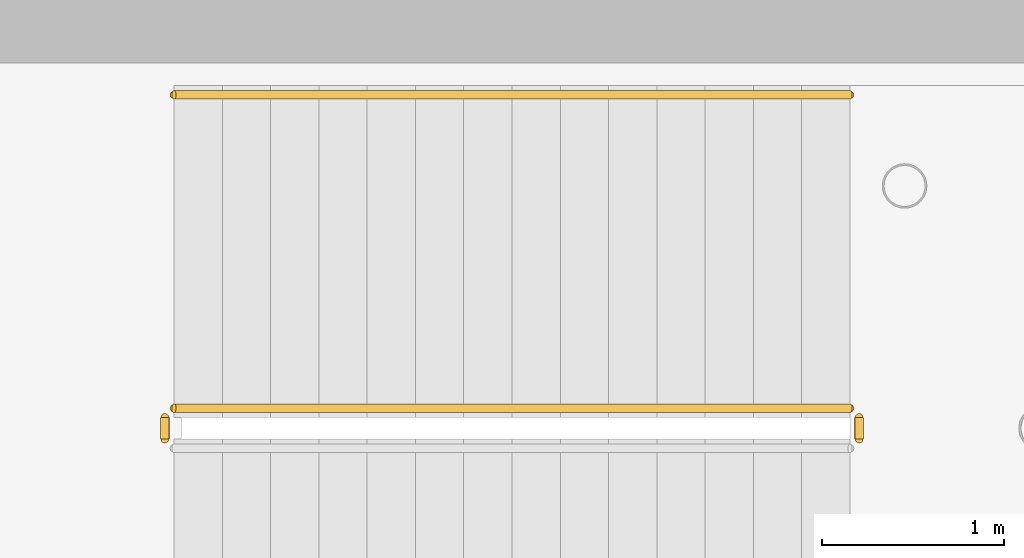
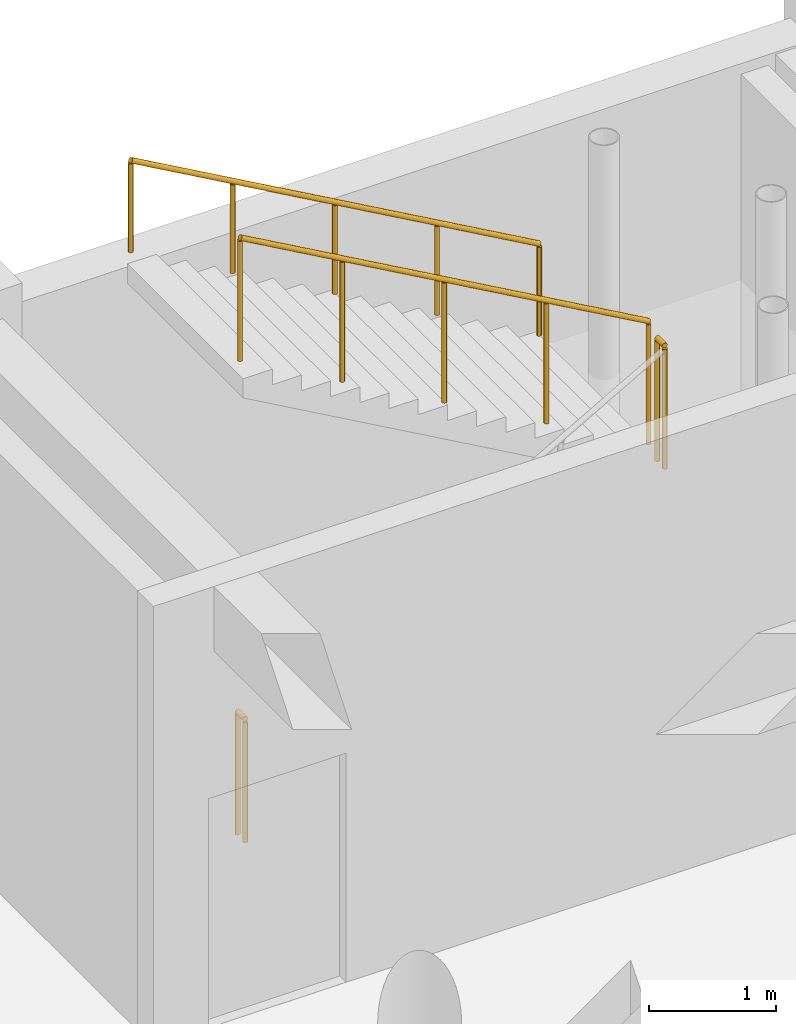
# One storey, part 160 of 160: 4 railings.
"""IFC4 building model written with IfcOpenShell, lengths in metres."""

from ifc_helpers import new_model, si_unit, direction, frame, origin, origin_2d, place, context, subcontext, project, spatial, circle, extrude, material, type_object, element, save


model = new_model("IFC4")

# Units and contexts
model_context = context("Model", 3, precision=1e-05, world=origin(), true_north=direction((0.0, 1.0)))
body_context = subcontext(model_context, "Body", "Model", "MODEL_VIEW")
ifc_project = project(units=[si_unit("LENGTHUNIT", "METRE"), si_unit("AREAUNIT", "SQUARE_METRE"), si_unit("VOLUMEUNIT", "CUBIC_METRE"), si_unit("PLANEANGLEUNIT", "RADIAN"), si_unit("MASSUNIT", "GRAM", prefix="KILO")], contexts=[model_context])

# Site, building, storey
site_placement = place(None, origin())
site = spatial("IfcSite", under=ifc_project, at=site_placement, CompositionType="ELEMENT")
building_placement = place(site_placement, origin())
building = spatial("IfcBuilding", under=site, at=building_placement, Name="Kharva Crest Polytechnic", CompositionType="ELEMENT")
storey_placement = place(building_placement, frame((0.0, 0.0, 4.5)))
storey = spatial("IfcBuildingStorey", under=building, at=storey_placement, Name="L01", CompositionType="ELEMENT", Elevation=4.5)

# Railings
ifc_material_1 = material(Name="Anodised aluminium", Category="aluminium")
railing_type_1 = type_object("IfcRailingType", Name="RL-STAIR-GUARD-1200", PredefinedType="GUARDRAIL", material=ifc_material_1)
railing_1_placement = place(storey_placement, frame((149.889892578125, 119.760009765625, 2.25)))
element("IfcRailing", 1, at=railing_1_placement, inside=storey, type_object=railing_type_1, Name="L01 ST-09 stair guard 2", PredefinedType="GUARDRAIL", context=body_context, shape_type="SweptSolid", body=[
    extrude(circle(Radius=0.02392578125, at=origin_2d()), frame((0.0, 0.0, 1.17578125), z_axis=(0.0, 1.0, 0.0), x_axis=(-1.0, 0.0, 0.0)), (0.0, 0.0, 1.0), 0.119873046875),
    extrude(circle(Radius=0.02099609375, at=origin_2d()), origin(), (0.0, 0.0, 1.0), 1.15185546875),
    extrude(circle(Radius=0.02099609375, at=origin_2d()), frame((0.0, 0.119873046875, 0.0)), (0.0, 0.0, 1.0), 1.15185546875),
])
railing_2_placement = place(storey_placement, frame((149.840087890625, 119.929931640625, 2.39990234375)))
element("IfcRailing", 2, at=railing_2_placement, inside=storey, type_object=railing_type_1, Name="L01 ST-09 stair guard 3", PredefinedType="GUARDRAIL", context=body_context, shape_type="SweptSolid", body=[
    extrude(circle(Radius=0.02392578125, at=origin_2d()), frame((0.0, 0.0, 1.17578125), z_axis=(-0.870258707807, 0.0, 0.492594946671), x_axis=(0.0, -1.0, 0.0)), (0.0, 0.0, 1.0), 4.263427734375),
    extrude(circle(Radius=0.02099609375, at=origin_2d()), origin(), (0.0, 0.0, 1.0), 1.15185546875),
    extrude(circle(Radius=0.02099609375, at=origin_2d()), frame((-0.927490234375, 0.0, 0.52490234375)), (0.0, 0.0, 1.0), 1.15185546875),
    extrude(circle(Radius=0.02099609375, at=origin_2d()), frame((-1.85498046875, 0.0, 1.050048828125)), (0.0, 0.0, 1.0), 1.15185546875),
    extrude(circle(Radius=0.02099609375, at=origin_2d()), frame((-2.78271484375, 0.0, 1.5751953125)), (0.0, 0.0, 1.0), 1.15185546875),
    extrude(circle(Radius=0.02099609375, at=origin_2d()), frame((-3.710205078125, 0.0, 2.10009765625)), (0.0, 0.0, 1.0), 1.15185546875),
])
railing_3_placement = place(storey_placement, frame((146.080078125, 119.760009765625, 0.0)))
element("IfcRailing", 3, at=railing_3_placement, inside=storey, type_object=railing_type_1, Name="L01 ST-09 stair guard 4", PredefinedType="GUARDRAIL", context=body_context, shape_type="SweptSolid", body=[
    extrude(circle(Radius=0.02392578125, at=origin_2d()), frame((0.0, 0.0, 1.17578125), z_axis=(0.0, 1.0, 0.0), x_axis=(-1.0, 0.0, 0.0)), (0.0, 0.0, 1.0), 0.119873046875),
    extrude(circle(Radius=0.02099609375, at=origin_2d()), origin(), (0.0, 0.0, 1.0), 1.15185546875),
    extrude(circle(Radius=0.02099609375, at=origin_2d()), frame((0.0, 0.119873046875, 0.0)), (0.0, 0.0, 1.0), 1.15185546875),
])
ifc_material_2 = material(Name="Teak timber", Category="wood")
railing_type_2 = type_object("IfcRailingType", Name="RL-STAIR-HAND-900", PredefinedType="HANDRAIL", material=ifc_material_2)
railing_4_placement = place(storey_placement, frame((149.840087890625, 121.64990234375, 2.39990234375)))
element("IfcRailing", 4, at=railing_4_placement, inside=storey, type_object=railing_type_2, Name="L01 ST-09 stair handrail 2", PredefinedType="HANDRAIL", context=body_context, shape_type="SweptSolid", body=[
    extrude(circle(Radius=0.02392578125, at=origin_2d()), frame((0.0, 0.0, 0.8759765625), z_axis=(-0.870258707807, 0.0, 0.492594946671), x_axis=(0.0, -1.0, 0.0)), (0.0, 0.0, 1.0), 4.263427734375),
    extrude(circle(Radius=0.02099609375, at=origin_2d()), origin(), (0.0, 0.0, 1.0), 0.851806640625),
    extrude(circle(Radius=0.02099609375, at=origin_2d()), frame((-0.927490234375, 0.0, 0.52490234375)), (0.0, 0.0, 1.0), 0.851806640625),
    extrude(circle(Radius=0.02099609375, at=origin_2d()), frame((-1.85498046875, 0.0, 1.050048828125)), (0.0, 0.0, 1.0), 0.851806640625),
    extrude(circle(Radius=0.02099609375, at=origin_2d()), frame((-2.78271484375, 0.0, 1.5751953125)), (0.0, 0.0, 1.0), 0.851806640625),
    extrude(circle(Radius=0.02099609375, at=origin_2d()), frame((-3.710205078125, 0.0, 2.10009765625)), (0.0, 0.0, 1.0), 0.851806640625),
])

save(model, "model.ifc")
